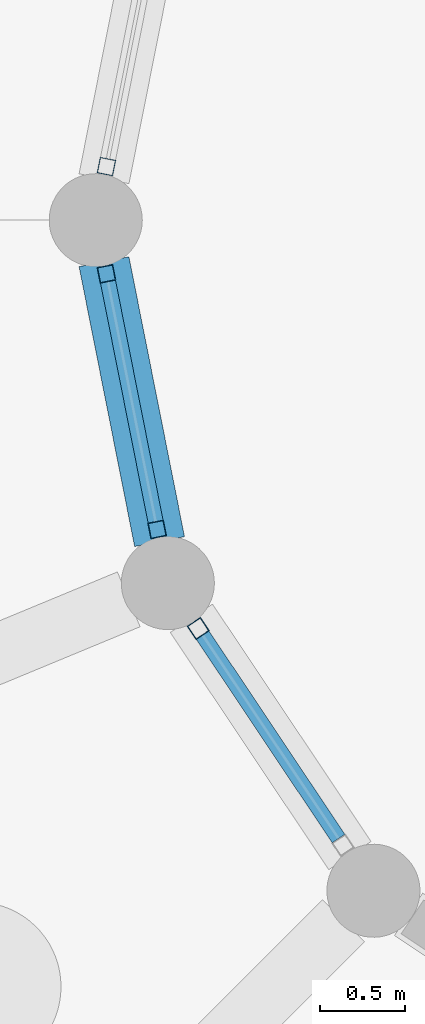
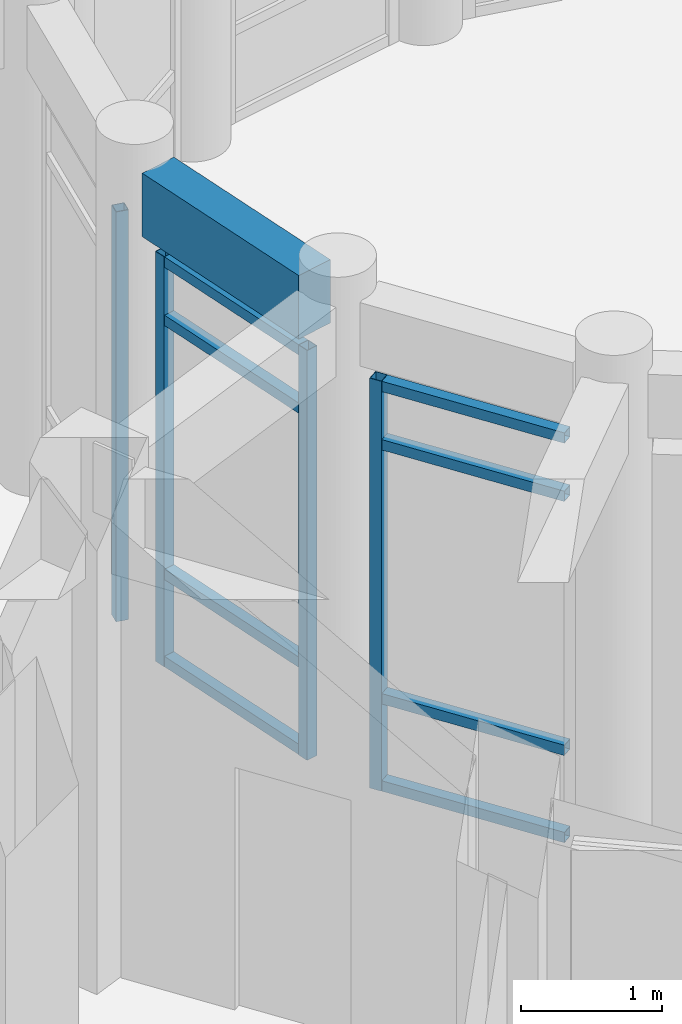
# One storey, part 60 of 153: 12 members, 1 beam, 3 elements without a shape of their own.
"""IFC4 building model written with IfcOpenShell, lengths in metres."""

from ifc_helpers import new_model, si_unit, direction, frame, origin, origin_2d, place, context, subcontext, project, spatial, rectangle, hollow_rectangle, extrude, material, material_profile, profile_set, type_object, element, aggregate, save


model = new_model("IFC4")

# Units and contexts
model_context = context("Model", 3, precision=1e-05, world=origin(), true_north=direction((0.0, 1.0)))
body_context = subcontext(model_context, "Body", "Model", "MODEL_VIEW")
ifc_project = project(units=[si_unit("LENGTHUNIT", "METRE"), si_unit("AREAUNIT", "SQUARE_METRE"), si_unit("VOLUMEUNIT", "CUBIC_METRE"), si_unit("PLANEANGLEUNIT", "RADIAN"), si_unit("MASSUNIT", "GRAM", prefix="KILO")], contexts=[model_context])

# Site, building, storey
site_placement = place(None, origin())
site = spatial("IfcSite", under=ifc_project, at=site_placement, CompositionType="ELEMENT")
building_placement = place(site_placement, origin())
building = spatial("IfcBuilding", under=site, at=building_placement, Name="Celadon Cloister-Ring School", CompositionType="ELEMENT")
storey_placement = place(building_placement, origin())
storey = spatial("IfcBuildingStorey", under=building, at=storey_placement, Name="L00", CompositionType="ELEMENT", Elevation=0.0)

# Curtain wall, member
ifc_material_1 = material(Name="Aluminium EN AW-6063 T6", Category="aluminium")
curtain_wall_type = type_object("IfcCurtainWallType", Name="CW-03", PredefinedType="USERDEFINED", material=ifc_material_1)
curtain_wall_1_placement = place(storey_placement, origin())
curtain_wall_1 = element("IfcCurtainWall", 1, at=curtain_wall_1_placement, inside=storey, type_object=curtain_wall_type, Name="Curtain Wall 0084", ObjectType="CURTAIN WALL", PredefinedType="USERDEFINED")
ifc_material_2 = material(Name="Aluminium EN AW-6063 T6", Category="aluminium")
ifc_material_profile_1 = material_profile(ifc_material_2, hollow_rectangle(XDim=0.094970703125, YDim=0.094970703125, WallThickness=0.00390625, at=origin_2d()), Name="RHS95X95X4")
ifc_profile_set_1 = profile_set([ifc_material_profile_1], Name="Aluminium EN AW-6063 T6")
member_type_1 = type_object("IfcMemberType", Name="CM-02", PredefinedType="MULLION", material=ifc_profile_set_1)
member_1_placement = place(storey_placement, frame((14.663330078125, 97.316650390625, 0.0), z_axis=(0.0, 0.0, 1.0), x_axis=(0.980885435464, -0.194586131301, 0.0)))
member_1 = element("IfcMember", 2, at=member_1_placement, type_object=member_type_1, Name="CW-03 mullion 2", PredefinedType="MULLION", context=body_context, shape_type="SweptSolid", body=[
    extrude(hollow_rectangle(XDim=0.094970703125, YDim=0.094970703125, WallThickness=0.00390625, at=origin_2d()), origin(), (0.0, 0.0, 1.0), 3.550048828125),
])
aggregate(curtain_wall_1, [member_1])

# Curtain wall, members
curtain_wall_2_placement = place(storey_placement, origin())
curtain_wall_2 = element("IfcCurtainWall", 3, at=curtain_wall_2_placement, inside=storey, type_object=curtain_wall_type, Name="Curtain Wall 0085", ObjectType="CURTAIN WALL", PredefinedType="USERDEFINED")
member_2_placement = place(storey_placement, frame((14.663330078125, 96.683349609375, 0.0), z_axis=(0.0, 0.0, 1.0), x_axis=(0.980885435464, 0.194586131301, 0.0)))
member_2 = element("IfcMember", 4, at=member_2_placement, type_object=member_type_1, Name="CW-03 mullion 1", PredefinedType="MULLION", context=body_context, shape_type="SweptSolid", body=[
    extrude(hollow_rectangle(XDim=0.094970703125, YDim=0.094970703125, WallThickness=0.00390625, at=origin_2d()), origin(), (0.0, 0.0, 1.0), 3.550048828125),
])
member_3_placement = place(storey_placement, frame((14.962646484375, 95.173583984375, 0.0), z_axis=(0.0, 0.0, 1.0), x_axis=(0.980885435464, 0.194586131301, 0.0)))
member_3 = element("IfcMember", 5, at=member_3_placement, type_object=member_type_1, Name="CW-03 mullion 2", PredefinedType="MULLION", context=body_context, shape_type="SweptSolid", body=[
    extrude(hollow_rectangle(XDim=0.094970703125, YDim=0.094970703125, WallThickness=0.00390625, at=origin_2d()), origin(), (0.0, 0.0, 1.0), 3.550048828125),
])

# Curtain wall, member
curtain_wall_3_placement = place(storey_placement, origin())
curtain_wall_3 = element("IfcCurtainWall", 6, at=curtain_wall_3_placement, inside=storey, type_object=curtain_wall_type, Name="Curtain Wall 0086", ObjectType="CURTAIN WALL", PredefinedType="USERDEFINED")
member_4_placement = place(storey_placement, frame((15.205322265625, 94.588623046875, 0.0), z_axis=(0.0, 0.0, 1.0), x_axis=(0.831485091394, 0.555547066224, 0.0)))
member_4 = element("IfcMember", 7, at=member_4_placement, type_object=member_type_1, Name="CW-03 mullion 1", PredefinedType="MULLION", context=body_context, shape_type="SweptSolid", body=[
    extrude(hollow_rectangle(XDim=0.094970703125, YDim=0.094970703125, WallThickness=0.00390625, at=origin_2d()), origin(), (0.0, 0.0, 1.0), 3.550048828125),
])

# Member
ifc_material_3 = material(Name="Aluminium EN AW-6063 T6", Category="aluminium")
ifc_material_profile_2 = material_profile(ifc_material_3, hollow_rectangle(XDim=0.090087890625, YDim=0.090087890625, WallThickness=0.00390625, at=origin_2d()), Name="RHS90X90X4")
ifc_profile_set_2 = profile_set([ifc_material_profile_2], Name="Aluminium EN AW-6063 T6")
member_type_2 = type_object("IfcMemberType", Name="CTM-02", PredefinedType="USERDEFINED", material=ifc_profile_set_2)
member_5_placement = place(storey_placement, frame((14.672607421875, 96.63671875, 0.044921875), z_axis=(0.194587856315, -0.980885093257, 0.0), x_axis=(0.980885093257, 0.194587856315, 0.0)))
member_5 = element("IfcMember", 8, at=member_5_placement, type_object=member_type_2, Name="CW-03 transom 1.1", ObjectType="TRANSOM", PredefinedType="USERDEFINED", context=body_context, shape_type="SweptSolid", body=[
    extrude(hollow_rectangle(XDim=0.090087890625, YDim=0.090087890625, WallThickness=0.00390625, at=origin_2d()), origin(), (0.0, 0.0, 1.0), 1.444091796875),
])

member_6_placement = place(storey_placement, frame((14.672607421875, 96.63671875, 0.800048828125), z_axis=(0.194587856315, -0.980885093257, 0.0), x_axis=(0.980885093257, 0.194587856315, 0.0)))
member_6 = element("IfcMember", 9, at=member_6_placement, type_object=member_type_2, Name="CW-03 transom 1.2", ObjectType="TRANSOM", PredefinedType="USERDEFINED", context=body_context, shape_type="SweptSolid", body=[
    extrude(hollow_rectangle(XDim=0.090087890625, YDim=0.090087890625, WallThickness=0.00390625, at=origin_2d()), origin(), (0.0, 0.0, 1.0), 1.444091796875),
])

member_7_placement = place(storey_placement, frame((14.672607421875, 96.63671875, 3.0), z_axis=(0.194587856315, -0.980885093257, 0.0), x_axis=(0.980885093257, 0.194587856315, 0.0)))
member_7 = element("IfcMember", 10, at=member_7_placement, type_object=member_type_2, Name="CW-03 transom 1.3", ObjectType="TRANSOM", PredefinedType="USERDEFINED", context=body_context, shape_type="SweptSolid", body=[
    extrude(hollow_rectangle(XDim=0.090087890625, YDim=0.090087890625, WallThickness=0.00390625, at=origin_2d()), origin(), (0.0, 0.0, 1.0), 1.444091796875),
])

member_8_placement = place(storey_placement, frame((14.672607421875, 96.63671875, 3.5048828125), z_axis=(0.194587856315, -0.980885093257, 0.0), x_axis=(0.980885093257, 0.194587856315, 0.0)))
member_8 = element("IfcMember", 11, at=member_8_placement, type_object=member_type_2, Name="CW-03 transom 1.4", ObjectType="TRANSOM", PredefinedType="USERDEFINED", context=body_context, shape_type="SweptSolid", body=[
    extrude(hollow_rectangle(XDim=0.090087890625, YDim=0.090087890625, WallThickness=0.00390625, at=origin_2d()), origin(), (0.0, 0.0, 1.0), 1.444091796875),
])

aggregate(curtain_wall_2, [member_2, member_3, member_5, member_6, member_7, member_8])

member_9_placement = place(storey_placement, frame((15.231689453125, 94.549072265625, 0.044921875), z_axis=(0.555518951009, -0.831503875559, 0.0), x_axis=(0.831503875559, 0.555518951009, 0.0)))
member_9 = element("IfcMember", 12, at=member_9_placement, type_object=member_type_2, Name="CW-03 transom 1.1", ObjectType="TRANSOM", PredefinedType="USERDEFINED", context=body_context, shape_type="SweptSolid", body=[
    extrude(hollow_rectangle(XDim=0.090087890625, YDim=0.090087890625, WallThickness=0.00390625, at=origin_2d()), origin(), (0.0, 0.0, 1.0), 1.444580078125),
])

member_10_placement = place(storey_placement, frame((15.231689453125, 94.549072265625, 0.800048828125), z_axis=(0.555518951009, -0.831503875559, 0.0), x_axis=(0.831503875559, 0.555518951009, 0.0)))
member_10 = element("IfcMember", 13, at=member_10_placement, type_object=member_type_2, Name="CW-03 transom 1.2", ObjectType="TRANSOM", PredefinedType="USERDEFINED", context=body_context, shape_type="SweptSolid", body=[
    extrude(hollow_rectangle(XDim=0.090087890625, YDim=0.090087890625, WallThickness=0.00390625, at=origin_2d()), origin(), (0.0, 0.0, 1.0), 1.444580078125),
])

member_11_placement = place(storey_placement, frame((15.231689453125, 94.549072265625, 3.0), z_axis=(0.555518951009, -0.831503875559, 0.0), x_axis=(0.831503875559, 0.555518951009, 0.0)))
member_11 = element("IfcMember", 14, at=member_11_placement, type_object=member_type_2, Name="CW-03 transom 1.3", ObjectType="TRANSOM", PredefinedType="USERDEFINED", context=body_context, shape_type="SweptSolid", body=[
    extrude(hollow_rectangle(XDim=0.090087890625, YDim=0.090087890625, WallThickness=0.00390625, at=origin_2d()), origin(), (0.0, 0.0, 1.0), 1.444580078125),
])

member_12_placement = place(storey_placement, frame((15.231689453125, 94.549072265625, 3.5048828125), z_axis=(0.555518951009, -0.831503875559, 0.0), x_axis=(0.831503875559, 0.555518951009, 0.0)))
member_12 = element("IfcMember", 15, at=member_12_placement, type_object=member_type_2, Name="CW-03 transom 1.4", ObjectType="TRANSOM", PredefinedType="USERDEFINED", context=body_context, shape_type="SweptSolid", body=[
    extrude(hollow_rectangle(XDim=0.090087890625, YDim=0.090087890625, WallThickness=0.00390625, at=origin_2d()), origin(), (0.0, 0.0, 1.0), 1.444580078125),
])

aggregate(curtain_wall_3, [member_4, member_9, member_10, member_11, member_12])

# Beam
ifc_material_4 = material(Name="Concrete C35/45", Category="concrete")
ifc_material_profile_3 = material_profile(ifc_material_4, rectangle(XDim=0.300048828125, YDim=0.550048828125, at=origin_2d()), Name="RC300X550")
ifc_profile_set_3 = profile_set([ifc_material_profile_3], Name="Concrete C35/45")
beam_type = type_object("IfcBeamType", Name="SP-02", PredefinedType="SPANDREL", material=ifc_profile_set_3)
beam_placement = place(storey_placement, frame((14.64892578125, 96.7548828125, 3.985107421875), z_axis=(0.194722830887, -0.980858307367, 0.0), x_axis=(0.980858307367, 0.194722830887, 0.0)))
element("IfcBeam", 16, at=beam_placement, inside=storey, type_object=beam_type, Name="Beam 0637", PredefinedType="SPANDREL", context=body_context, shape_type="SweptSolid", body=[
    extrude(rectangle(XDim=0.300048828125, YDim=0.550048828125, at=origin_2d()), origin(), (0.0, 0.0, 1.0), 1.68505859375),
])

save(model, "model.ifc")
